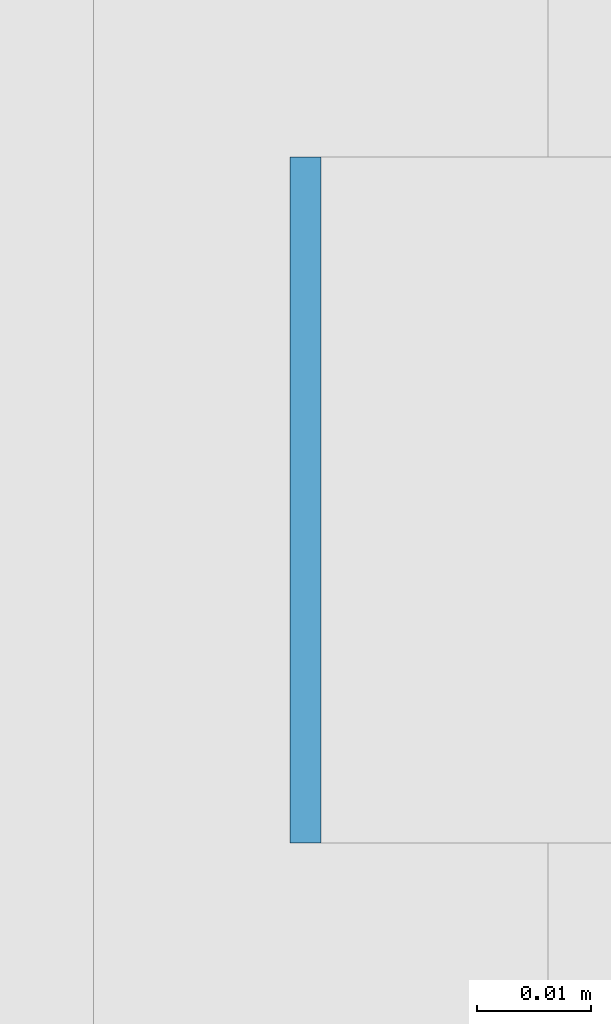
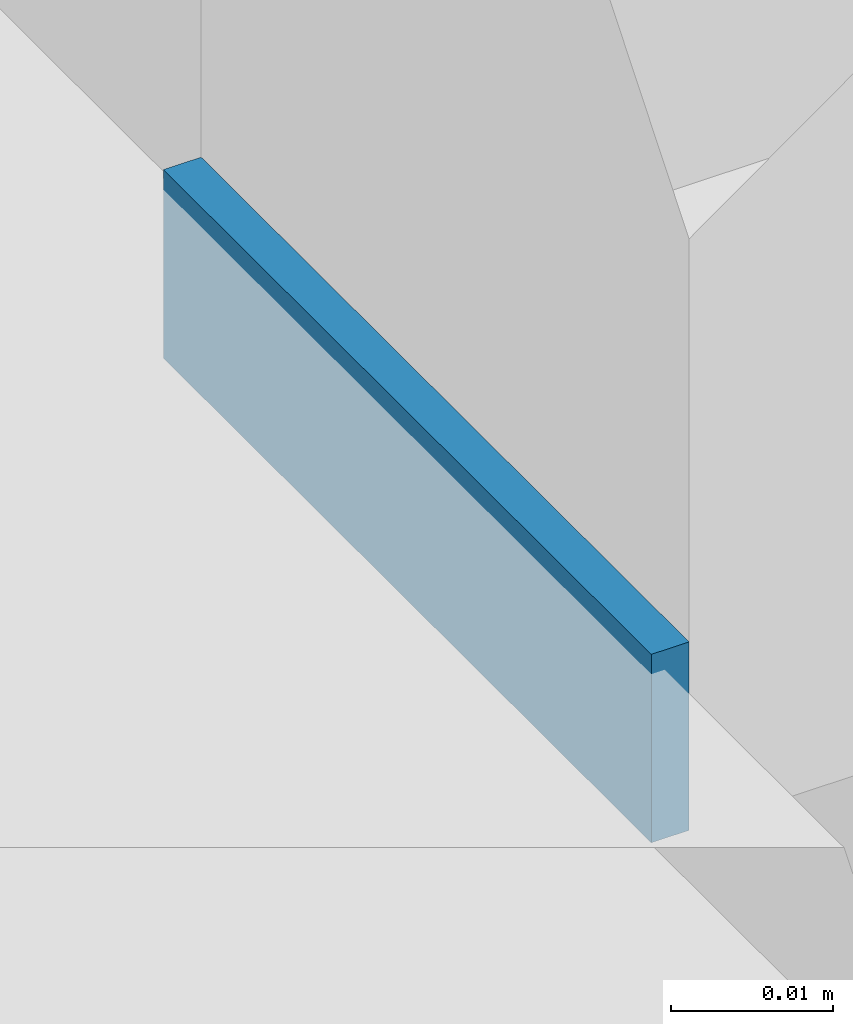
# One storey, part 546 of 646: 1 discrete accessory.
"""IFC4 building model written with IfcOpenShell, lengths in metres."""

from ifc_helpers import new_model, si_unit, direction, frame, origin, origin_2d, place, context, subcontext, project, spatial, rectangle, extrude, material, type_object, element, save


model = new_model("IFC4")

# Units and contexts
model_context = context("Model", 3, precision=1e-05, world=origin(), true_north=direction((0.0, 1.0)))
body_context = subcontext(model_context, "Body", "Model", "MODEL_VIEW")
ifc_project = project(units=[si_unit("LENGTHUNIT", "METRE"), si_unit("AREAUNIT", "SQUARE_METRE"), si_unit("VOLUMEUNIT", "CUBIC_METRE"), si_unit("PLANEANGLEUNIT", "RADIAN"), si_unit("MASSUNIT", "GRAM", prefix="KILO")], contexts=[model_context])

# Site, building, storey
site_placement = place(None, origin())
site = spatial("IfcSite", under=ifc_project, at=site_placement, CompositionType="ELEMENT")
building_placement = place(site_placement, origin())
building = spatial("IfcBuilding", under=site, at=building_placement, Name="Silverbay Arena", CompositionType="ELEMENT")
storey_placement = place(building_placement, frame((0.0, 0.0, 33.5)))
storey = spatial("IfcBuildingStorey", under=building, at=storey_placement, Name="L05", CompositionType="ELEMENT", Elevation=33.5)

# Discrete accessory
ifc_material = material(Name="Steel S355", Category="steel")
discrete_accessory_type = type_object("IfcDiscreteAccessoryType", Name="Steel bracket plate", PredefinedType="BRACKET", material=ifc_material)
discrete_accessory_placement = place(storey_placement, frame((207.128662109375, 92.571533203125, 4.0), z_axis=(0.0, 0.0, 1.0), x_axis=(1.0, 0.0, 0.0)))
element("IfcDiscreteAccessory", 1, at=discrete_accessory_placement, inside=storey, type_object=discrete_accessory_type, Name="Curtain wall packing plate", PredefinedType="BRACKET", context=body_context, shape_type="SweptSolid", body=[
    extrude(rectangle(XDim=0.002685546875, YDim=0.06005859375, at=origin_2d()), origin(), (0.0, 0.0, 1.0), 0.01416015625),
])

save(model, "model.ifc")
